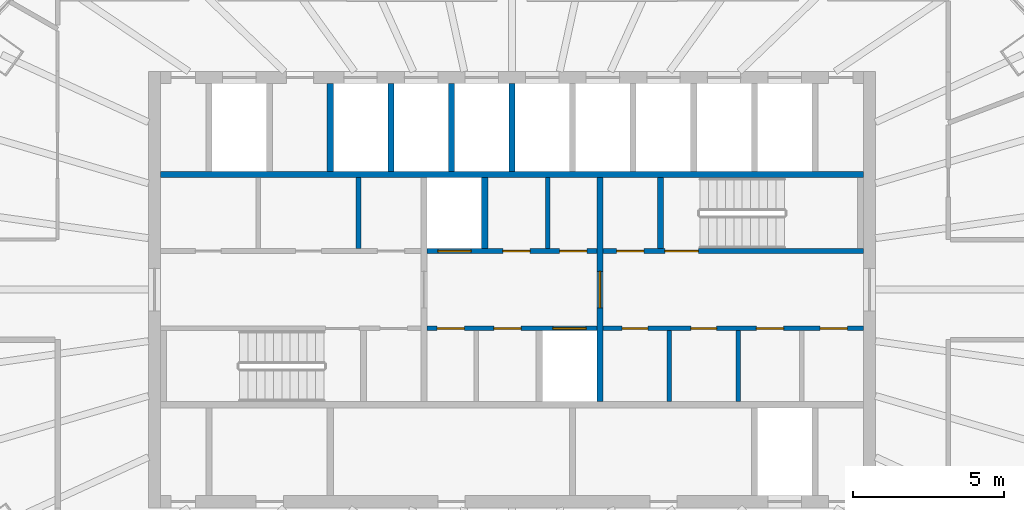
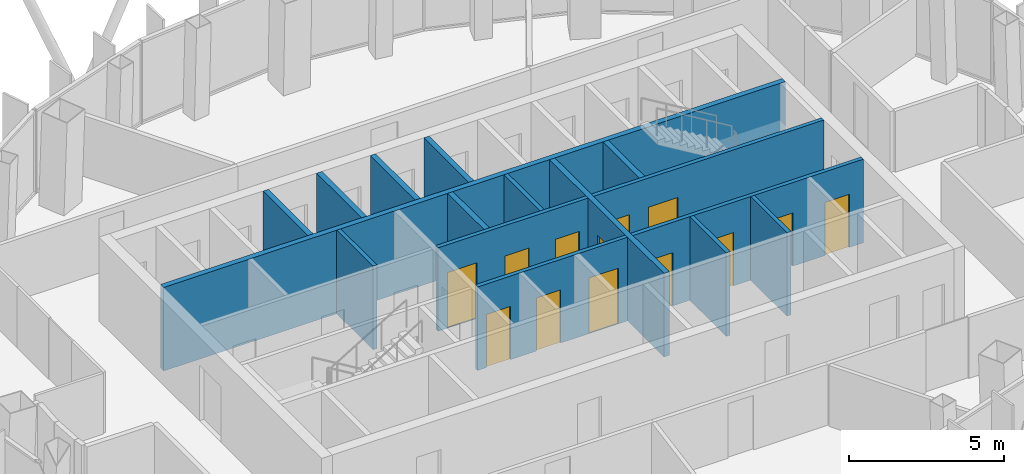
# One storey, part 10 of 18: 16 walls, 13 doors, 13 openings.
"""IFC4 building model written with IfcOpenShell, lengths in metres."""

from ifc_helpers import new_model, si_unit, direction, frame, frame_2d, origin, place, context, subcontext, project, spatial, rectangle, extrude, material, layer, layer_set, type_object, element, fill, save


model = new_model("IFC4")

# Units and contexts
model_context = context("Model", 3, precision=1e-05, world=origin(), true_north=direction((0.0, 1.0)))
body_context = subcontext(model_context, "Body", "Model", "MODEL_VIEW")
ifc_project = project(units=[si_unit("LENGTHUNIT", "METRE"), si_unit("AREAUNIT", "SQUARE_METRE"), si_unit("VOLUMEUNIT", "CUBIC_METRE"), si_unit("PLANEANGLEUNIT", "RADIAN"), si_unit("MASSUNIT", "GRAM", prefix="KILO")], contexts=[model_context])

# Site, building, storey
site_placement = place(None, origin())
site = spatial("IfcSite", under=ifc_project, at=site_placement, CompositionType="ELEMENT")
building_placement = place(site_placement, origin())
building = spatial("IfcBuilding", under=site, at=building_placement, Name="Siaravel Broadcast Tower", CompositionType="ELEMENT")
storey_placement = place(building_placement, frame((0.0, 0.0, 261.5)))
storey = spatial("IfcBuildingStorey", under=building, at=storey_placement, Name="L64", CompositionType="ELEMENT", Elevation=261.5)

# Walls
ifc_material_1 = material(Name="Concrete blockwork", Category="masonry")
ifc_layer_1 = layer(ifc_material_1, 0.14990234375)
ifc_layer_set_1 = layer_set([ifc_layer_1], Name="Concrete blockwork")
wall_type_1 = type_object("IfcWallType", Name="Core partition 150", PredefinedType="PARTITIONING", material=ifc_layer_set_1)
for number, where, z_axis, x_axis, name in (
    (1, (-5.06689453125, 1.35009765625, 0.0), (0.0, 0.0, 1.0), (0.0, 1.0, 0.0), "L64 core partition PNW1"),
    (2, (5.194091796875, -3.699951171875, 0.0), (0.0, 0.0, 1.0), (0.0, 1.0, 0.0), "L64 core partition PSE0"),
    (3, (7.462890625, -3.699951171875, 0.0), (0.0, 0.0, 1.0), (0.0, 1.0, 0.0), "L64 core partition PSE1"),
    (4, (1.172607421875, 1.35009765625, 0.0), (0.0, 0.0, 1.0), (0.0, 1.0, 0.0), "L64 core partition PNM0"),
):
    element("IfcWall", number, at=place(storey_placement, frame(where, z_axis=z_axis, x_axis=x_axis)), inside=storey, type_object=wall_type_1, Name=name, PredefinedType="PARTITIONING", context=body_context, shape_type="SweptSolid", body=[
        extrude(rectangle(XDim=2.349853515625, YDim=0.14990234375, at=frame_2d((1.1748046875, 0.0))), origin(), (0.0, 0.0, 1.0), 3.300048828125),
    ])

# Wall, openings, doors
ifc_material_2 = material(Name="Gypsum board partition", Category="gypsum")
ifc_layer_2 = layer(ifc_material_2, 0.14990234375)
ifc_layer_set_2 = layer_set([ifc_layer_2], Name="Gypsum board partition")
wall_type_2 = type_object("IfcWallType", Name="Corridor wall 150", PredefinedType="PARTITIONING", material=ifc_layer_set_2)
wall_1_placement = place(storey_placement, frame((3.0, -1.27490234375, 0.0), z_axis=(0.0, 0.0, 1.0), x_axis=(1.0, 0.0, 0.0)))
wall_1 = element("IfcWall", 5, at=wall_1_placement, inside=storey, type_object=wall_type_2, Name="L64 core partition CSE", PredefinedType="PARTITIONING", context=body_context, shape_type="SweptSolid", body=[
    extrude(rectangle(XDim=8.60009765625, YDim=0.14990234375, at=frame_2d((4.300048828125, 0.0))), origin(), (0.0, 0.0, 1.0), 3.300048828125),
])
opening_1_placement = place(wall_1_placement, frame((0.634521484375, 0.0, 0.0)))
opening_1 = element("IfcOpeningElement", 6, at=opening_1_placement, cuts=wall_1, Name="Opening L64-DSE0", PredefinedType="OPENING", context=body_context, shape_type="SweptSolid", body=[
    extrude(rectangle(XDim=0.85009765625, YDim=2.10009765625, at=frame_2d((0.425048828125, 1.050048828125))), frame((0.0, 0.0849609375, 0.0), z_axis=(0.0, -1.0, 0.0), x_axis=(1.0, 0.0, 0.0)), (0.0, 0.0, 1.0), 0.169921875),
])
opening_2_placement = place(wall_1_placement, frame((2.903564453125, 0.0, 0.0)))
opening_2 = element("IfcOpeningElement", 7, at=opening_2_placement, cuts=wall_1, Name="Opening L64-DSE1", PredefinedType="OPENING", context=body_context, shape_type="SweptSolid", body=[
    extrude(rectangle(XDim=0.85009765625, YDim=2.10009765625, at=frame_2d((0.425048828125, 1.050048828125))), frame((0.0, 0.0849609375, 0.0), z_axis=(0.0, -1.0, 0.0), x_axis=(1.0, 0.0, 0.0)), (0.0, 0.0, 1.0), 0.169921875),
])
opening_3_placement = place(wall_1_placement, frame((5.06591796875, 0.0, 0.0)))
opening_3 = element("IfcOpeningElement", 8, at=opening_3_placement, cuts=wall_1, Name="Opening L64-DSE2", PredefinedType="OPENING", context=body_context, shape_type="SweptSolid", body=[
    extrude(rectangle(XDim=0.89990234375, YDim=2.10009765625, at=frame_2d((0.449951171875, 1.050048828125))), frame((0.0, 0.0849609375, 0.0), z_axis=(0.0, -1.0, 0.0), x_axis=(1.0, 0.0, 0.0)), (0.0, 0.0, 1.0), 0.169921875),
])
opening_4_placement = place(wall_1_placement, frame((7.172119140625, 0.0, 0.0)))
opening_4 = element("IfcOpeningElement", 9, at=opening_4_placement, cuts=wall_1, Name="Opening L64-DSE3", PredefinedType="OPENING", context=body_context, shape_type="SweptSolid", body=[
    extrude(rectangle(XDim=0.89990234375, YDim=2.10009765625, at=frame_2d((0.449951171875, 1.050048828125))), frame((0.0, 0.0849609375, 0.0), z_axis=(0.0, -1.0, 0.0), x_axis=(1.0, 0.0, 0.0)), (0.0, 0.0, 1.0), 0.169921875),
])
ifc_material_3 = material(Name="Timber veneer", Category="wood")
door_type_1 = type_object("IfcDoorType", Name="Core room door 900", OperationType="SINGLE_SWING_LEFT", PredefinedType="DOOR", material=ifc_material_3)
door_1_placement = place(opening_3_placement, origin())
door_1 = element("IfcDoor", 10, at=door_1_placement, inside=storey, type_object=door_type_1, Name="L64 door DSE2", OperationType="SINGLE_SWING_LEFT", OverallHeight=2.10009765625, OverallWidth=0.89990234375, PredefinedType="DOOR", context=body_context, shape_type="SweptSolid", body=[
    extrude(rectangle(XDim=0.89990234375, YDim=2.10009765625, at=frame_2d((0.449951171875, 1.050048828125))), frame((0.0, 0.02490234375, 0.0), z_axis=(0.0, -1.0, 0.0), x_axis=(1.0, 0.0, 0.0)), (0.0, 0.0, 1.0), 0.050048828125),
])
fill(opening_3, door_1)
door_2_placement = place(opening_4_placement, origin())
door_2 = element("IfcDoor", 11, at=door_2_placement, inside=storey, type_object=door_type_1, Name="L64 door DSE3", OperationType="SINGLE_SWING_LEFT", OverallHeight=2.10009765625, OverallWidth=0.89990234375, PredefinedType="DOOR", context=body_context, shape_type="SweptSolid", body=[
    extrude(rectangle(XDim=0.89990234375, YDim=2.10009765625, at=frame_2d((0.449951171875, 1.050048828125))), frame((0.0, 0.02490234375, 0.0), z_axis=(0.0, -1.0, 0.0), x_axis=(1.0, 0.0, 0.0)), (0.0, 0.0, 1.0), 0.050048828125),
])
fill(opening_4, door_2)
door_type_2 = type_object("IfcDoorType", Name="Core toilet door 850", OperationType="SINGLE_SWING_LEFT", PredefinedType="DOOR", material=ifc_material_3)
door_3_placement = place(opening_1_placement, origin())
door_3 = element("IfcDoor", 12, at=door_3_placement, inside=storey, type_object=door_type_2, Name="L64 door DSE0", OperationType="SINGLE_SWING_LEFT", OverallHeight=2.10009765625, OverallWidth=0.85009765625, PredefinedType="DOOR", context=body_context, shape_type="SweptSolid", body=[
    extrude(rectangle(XDim=0.85009765625, YDim=2.10009765625, at=frame_2d((0.425048828125, 1.050048828125))), frame((0.0, 0.02490234375, 0.0), z_axis=(0.0, -1.0, 0.0), x_axis=(1.0, 0.0, 0.0)), (0.0, 0.0, 1.0), 0.050048828125),
])
fill(opening_1, door_3)
door_4_placement = place(opening_2_placement, origin())
door_4 = element("IfcDoor", 13, at=door_4_placement, inside=storey, type_object=door_type_2, Name="L64 door DSE1", OperationType="SINGLE_SWING_LEFT", OverallHeight=2.10009765625, OverallWidth=0.85009765625, PredefinedType="DOOR", context=body_context, shape_type="SweptSolid", body=[
    extrude(rectangle(XDim=0.85009765625, YDim=2.10009765625, at=frame_2d((0.425048828125, 1.050048828125))), frame((0.0, 0.02490234375, 0.0), z_axis=(0.0, -1.0, 0.0), x_axis=(1.0, 0.0, 0.0)), (0.0, 0.0, 1.0), 0.050048828125),
])
fill(opening_2, door_4)

ifc_material_4 = material(Name="Concrete C60/75", Category="concrete")
ifc_layer_3 = layer(ifc_material_4, 0.14990234375)
ifc_layer_set_3 = layer_set([ifc_layer_3], Name="Concrete C60/75")
wall_type_3 = type_object("IfcWallType", Name="Shaft wall 150", PredefinedType="SHEAR", material=ifc_layer_set_3)
wall_2_placement = place(storey_placement, frame((-2.800048828125, -1.27490234375, 0.0), z_axis=(0.0, 0.0, 1.0), x_axis=(1.0, 0.0, 0.0)))
wall_2 = element("IfcWall", 14, at=wall_2_placement, inside=storey, type_object=wall_type_3, Name="L64 core wall CSM", PredefinedType="SHEAR", context=body_context, shape_type="SweptSolid", body=[
    extrude(rectangle(XDim=5.60009765625, YDim=0.14990234375, at=frame_2d((2.800048828125, 0.0))), origin(), (0.0, 0.0, 1.0), 3.300048828125),
])
opening_5_placement = place(wall_2_placement, frame((4.14990234375, 0.0, 0.0)))
opening_5 = element("IfcOpeningElement", 15, at=opening_5_placement, cuts=wall_2, Name="Opening LD-FL2-L64", PredefinedType="OPENING", context=body_context, shape_type="SweptSolid", body=[
    extrude(rectangle(XDim=1.10009765625, YDim=2.199951171875, at=frame_2d((0.550048828125, 1.10009765625))), frame((0.0, 0.0849609375, 0.0), z_axis=(0.0, -1.0, 0.0), x_axis=(1.0, 0.0, 0.0)), (0.0, 0.0, 1.0), 0.169921875),
])
opening_6_placement = place(wall_2_placement, frame((0.326416015625, 0.0, 0.0)))
opening_6 = element("IfcOpeningElement", 16, at=opening_6_placement, cuts=wall_2, Name="Opening L64-DSM0", PredefinedType="OPENING", context=body_context, shape_type="SweptSolid", body=[
    extrude(rectangle(XDim=0.89990234375, YDim=2.10009765625, at=frame_2d((0.449951171875, 1.050048828125))), frame((0.0, 0.0849609375, 0.0), z_axis=(0.0, -1.0, 0.0), x_axis=(1.0, 0.0, 0.0)), (0.0, 0.0, 1.0), 0.169921875),
])
opening_7_placement = place(wall_2_placement, frame((2.201416015625, 0.0, 0.0)))
opening_7 = element("IfcOpeningElement", 17, at=opening_7_placement, cuts=wall_2, Name="Opening L64-DSM1", PredefinedType="OPENING", context=body_context, shape_type="SweptSolid", body=[
    extrude(rectangle(XDim=0.89990234375, YDim=2.10009765625, at=frame_2d((0.449951171875, 1.050048828125))), frame((0.0, 0.0849609375, 0.0), z_axis=(0.0, -1.0, 0.0), x_axis=(1.0, 0.0, 0.0)), (0.0, 0.0, 1.0), 0.169921875),
])
door_5_placement = place(opening_6_placement, origin())
door_5 = element("IfcDoor", 18, at=door_5_placement, inside=storey, type_object=door_type_1, Name="L64 door DSM0", OperationType="SINGLE_SWING_LEFT", OverallHeight=2.10009765625, OverallWidth=0.89990234375, PredefinedType="DOOR", context=body_context, shape_type="SweptSolid", body=[
    extrude(rectangle(XDim=0.89990234375, YDim=2.10009765625, at=frame_2d((0.449951171875, 1.050048828125))), frame((0.0, 0.02490234375, 0.0), z_axis=(0.0, -1.0, 0.0), x_axis=(1.0, 0.0, 0.0)), (0.0, 0.0, 1.0), 0.050048828125),
])
fill(opening_6, door_5)
door_6_placement = place(opening_7_placement, origin())
door_6 = element("IfcDoor", 19, at=door_6_placement, inside=storey, type_object=door_type_1, Name="L64 door DSM1", OperationType="SINGLE_SWING_LEFT", OverallHeight=2.10009765625, OverallWidth=0.89990234375, PredefinedType="DOOR", context=body_context, shape_type="SweptSolid", body=[
    extrude(rectangle(XDim=0.89990234375, YDim=2.10009765625, at=frame_2d((0.449951171875, 1.050048828125))), frame((0.0, 0.02490234375, 0.0), z_axis=(0.0, -1.0, 0.0), x_axis=(1.0, 0.0, 0.0)), (0.0, 0.0, 1.0), 0.050048828125),
])
fill(opening_7, door_6)
ifc_material_5 = material(Name="Stainless steel 316L", Category="steel")
door_type_3 = type_object("IfcDoorType", Name="Firefighting lift landing door 1100", OperationType="DOUBLE_DOOR_SLIDING", PredefinedType="DOOR", material=ifc_material_5)
door_7_placement = place(opening_5_placement, origin())
door_7 = element("IfcDoor", 20, at=door_7_placement, inside=storey, type_object=door_type_3, Name="Landing door FL2 L64", OperationType="DOUBLE_DOOR_SLIDING", OverallHeight=2.199951171875, OverallWidth=1.10009765625, PredefinedType="DOOR", context=body_context, shape_type="SweptSolid", body=[
    extrude(rectangle(XDim=1.10009765625, YDim=2.199951171875, at=frame_2d((0.550048828125, 1.10009765625))), frame((0.0, 0.02490234375, 0.0), z_axis=(0.0, -1.0, 0.0), x_axis=(1.0, 0.0, 0.0)), (0.0, 0.0, 1.0), 0.050048828125),
])
fill(opening_5, door_7)

wall_3_placement = place(storey_placement, frame((-2.800048828125, 1.27490234375, 0.0), z_axis=(0.0, 0.0, 1.0), x_axis=(1.0, 0.0, 0.0)))
wall_3 = element("IfcWall", 21, at=wall_3_placement, inside=storey, type_object=wall_type_3, Name="L64 core wall CNM", PredefinedType="SHEAR", context=body_context, shape_type="SweptSolid", body=[
    extrude(rectangle(XDim=5.60009765625, YDim=0.14990234375, at=frame_2d((2.800048828125, 0.0))), origin(), (0.0, 0.0, 1.0), 3.300048828125),
])
opening_8_placement = place(wall_3_placement, frame((0.35009765625, 0.0, 0.0)))
opening_8 = element("IfcOpeningElement", 22, at=opening_8_placement, cuts=wall_3, Name="Opening LD-FL1-L64", PredefinedType="OPENING", context=body_context, shape_type="SweptSolid", body=[
    extrude(rectangle(XDim=1.10009765625, YDim=2.199951171875, at=frame_2d((0.550048828125, 1.10009765625))), frame((0.0, 0.0849609375, 0.0), z_axis=(0.0, -1.0, 0.0), x_axis=(1.0, 0.0, 0.0)), (0.0, 0.0, 1.0), 0.169921875),
])
opening_9_placement = place(wall_3_placement, frame((2.498779296875, 0.0, 0.0)))
opening_9 = element("IfcOpeningElement", 23, at=opening_9_placement, cuts=wall_3, Name="Opening L64-DNM0", PredefinedType="OPENING", context=body_context, shape_type="SweptSolid", body=[
    extrude(rectangle(XDim=0.89990234375, YDim=2.10009765625, at=frame_2d((0.449951171875, 1.050048828125))), frame((0.0, 0.0849609375, 0.0), z_axis=(0.0, -1.0, 0.0), x_axis=(1.0, 0.0, 0.0)), (0.0, 0.0, 1.0), 0.169921875),
])
opening_10_placement = place(wall_3_placement, frame((4.373779296875, 0.0, 0.0)))
opening_10 = element("IfcOpeningElement", 24, at=opening_10_placement, cuts=wall_3, Name="Opening L64-DNM1", PredefinedType="OPENING", context=body_context, shape_type="SweptSolid", body=[
    extrude(rectangle(XDim=0.89990234375, YDim=2.10009765625, at=frame_2d((0.449951171875, 1.050048828125))), frame((0.0, 0.0849609375, 0.0), z_axis=(0.0, -1.0, 0.0), x_axis=(1.0, 0.0, 0.0)), (0.0, 0.0, 1.0), 0.169921875),
])
door_8_placement = place(opening_9_placement, origin())
door_8 = element("IfcDoor", 25, at=door_8_placement, inside=storey, type_object=door_type_1, Name="L64 door DNM0", OperationType="SINGLE_SWING_LEFT", OverallHeight=2.10009765625, OverallWidth=0.89990234375, PredefinedType="DOOR", context=body_context, shape_type="SweptSolid", body=[
    extrude(rectangle(XDim=0.89990234375, YDim=2.10009765625, at=frame_2d((0.449951171875, 1.050048828125))), frame((0.0, 0.02490234375, 0.0), z_axis=(0.0, -1.0, 0.0), x_axis=(1.0, 0.0, 0.0)), (0.0, 0.0, 1.0), 0.050048828125),
])
fill(opening_9, door_8)
door_9_placement = place(opening_10_placement, origin())
door_9 = element("IfcDoor", 26, at=door_9_placement, inside=storey, type_object=door_type_1, Name="L64 door DNM1", OperationType="SINGLE_SWING_LEFT", OverallHeight=2.10009765625, OverallWidth=0.89990234375, PredefinedType="DOOR", context=body_context, shape_type="SweptSolid", body=[
    extrude(rectangle(XDim=0.89990234375, YDim=2.10009765625, at=frame_2d((0.449951171875, 1.050048828125))), frame((0.0, 0.02490234375, 0.0), z_axis=(0.0, -1.0, 0.0), x_axis=(1.0, 0.0, 0.0)), (0.0, 0.0, 1.0), 0.050048828125),
])
fill(opening_10, door_9)
door_10_placement = place(opening_8_placement, origin())
door_10 = element("IfcDoor", 27, at=door_10_placement, inside=storey, type_object=door_type_3, Name="Landing door FL1 L64", OperationType="DOUBLE_DOOR_SLIDING", OverallHeight=2.199951171875, OverallWidth=1.10009765625, PredefinedType="DOOR", context=body_context, shape_type="SweptSolid", body=[
    extrude(rectangle(XDim=1.10009765625, YDim=2.199951171875, at=frame_2d((0.550048828125, 1.10009765625))), frame((0.0, 0.02490234375, 0.0), z_axis=(0.0, -1.0, 0.0), x_axis=(1.0, 0.0, 0.0)), (0.0, 0.0, 1.0), 0.050048828125),
])
fill(opening_8, door_10)

wall_4_placement = place(storey_placement, frame((3.0, 1.27490234375, 0.0), z_axis=(0.0, 0.0, 1.0), x_axis=(1.0, 0.0, 0.0)))
wall_4 = element("IfcWall", 28, at=wall_4_placement, inside=storey, type_object=wall_type_3, Name="L64 core wall CNE", PredefinedType="SHEAR", context=body_context, shape_type="SweptSolid", body=[
    extrude(rectangle(XDim=8.60009765625, YDim=0.14990234375, at=frame_2d((4.300048828125, 0.0))), origin(), (0.0, 0.0, 1.0), 3.300048828125),
])
opening_11_placement = place(wall_4_placement, frame((2.050048828125, 0.0, 0.0)))
opening_11 = element("IfcOpeningElement", 29, at=opening_11_placement, cuts=wall_4, Name="Opening L64-DS-2", PredefinedType="OPENING", context=body_context, shape_type="SweptSolid", body=[
    extrude(rectangle(XDim=1.10009765625, YDim=2.14990234375, at=frame_2d((0.550048828125, 1.074951171875))), frame((0.0, 0.0849609375, 0.0), z_axis=(0.0, -1.0, 0.0), x_axis=(1.0, 0.0, 0.0)), (0.0, 0.0, 1.0), 0.169921875),
])
opening_12_placement = place(wall_4_placement, frame((0.449951171875, 0.0, 0.0)))
opening_12 = element("IfcOpeningElement", 30, at=opening_12_placement, cuts=wall_4, Name="Opening L64-DNE0", PredefinedType="OPENING", context=body_context, shape_type="SweptSolid", body=[
    extrude(rectangle(XDim=0.89990234375, YDim=2.10009765625, at=frame_2d((0.449951171875, 1.050048828125))), frame((0.0, 0.0849609375, 0.0), z_axis=(0.0, -1.0, 0.0), x_axis=(1.0, 0.0, 0.0)), (0.0, 0.0, 1.0), 0.169921875),
])
door_11_placement = place(opening_12_placement, origin())
door_11 = element("IfcDoor", 31, at=door_11_placement, inside=storey, type_object=door_type_1, Name="L64 door DNE0", OperationType="SINGLE_SWING_LEFT", OverallHeight=2.10009765625, OverallWidth=0.89990234375, PredefinedType="DOOR", context=body_context, shape_type="SweptSolid", body=[
    extrude(rectangle(XDim=0.89990234375, YDim=2.10009765625, at=frame_2d((0.449951171875, 1.050048828125))), frame((0.0, 0.02490234375, 0.0), z_axis=(0.0, -1.0, 0.0), x_axis=(1.0, 0.0, 0.0)), (0.0, 0.0, 1.0), 0.050048828125),
])
fill(opening_12, door_11)
ifc_material_6 = material(Name="Steel", Category="steel")
door_type_4 = type_object("IfcDoorType", Name="Stair door 1100", OperationType="SINGLE_SWING_LEFT", PredefinedType="DOOR", material=ifc_material_6)
door_12_placement = place(opening_11_placement, origin())
door_12 = element("IfcDoor", 32, at=door_12_placement, inside=storey, type_object=door_type_4, Name="L64 door DS-2", OperationType="SINGLE_SWING_LEFT", OverallHeight=2.14990234375, OverallWidth=1.10009765625, PredefinedType="DOOR", context=body_context, shape_type="SweptSolid", body=[
    extrude(rectangle(XDim=1.10009765625, YDim=2.14990234375, at=frame_2d((0.550048828125, 1.074951171875))), frame((0.0, 0.02490234375, 0.0), z_axis=(0.0, -1.0, 0.0), x_axis=(1.0, 0.0, 0.0)), (0.0, 0.0, 1.0), 0.050048828125),
])
fill(opening_11, door_12)

# Walls
ifc_layer_4 = layer(ifc_material_4, 0.199951171875)
ifc_layer_set_4 = layer_set([ifc_layer_4], Name="Concrete C60/75")
wall_type_4 = type_object("IfcWallType", Name="Shaft wall 200", PredefinedType="SHEAR", material=ifc_layer_set_4)
wall_5_placement = place(storey_placement, frame((-11.60009765625, 3.800048828125, 0.0), z_axis=(0.0, 0.0, 1.0), x_axis=(1.0, 0.0, 0.0)))
element("IfcWall", 33, at=wall_5_placement, inside=storey, type_object=wall_type_4, Name="L64 core wall BN", PredefinedType="SHEAR", context=body_context, shape_type="SweptSolid", body=[
    extrude(rectangle(XDim=23.2001953125, YDim=0.199951171875, at=frame_2d((11.60009765625, 0.0))), origin(), (0.0, 0.0, 1.0), 3.300048828125),
])
for number, where, z_axis, x_axis, name in (
    (34, (-6.0, 3.89990234375, 0.0), (0.0, 0.0, 1.0), (0.0, 1.0, 0.0), "L64 core wall SWN2"),
    (35, (-4.0, 3.89990234375, 0.0), (0.0, 0.0, 1.0), (0.0, 1.0, 0.0), "L64 core wall SWN3"),
    (36, (-2.0, 3.89990234375, 0.0), (0.0, 0.0, 1.0), (0.0, 1.0, 0.0), "L64 core wall SWN4"),
    (37, (0.0, 3.89990234375, 0.0), (0.0, 0.0, 1.0), (0.0, 1.0, 0.0), "L64 core wall SWN5"),
):
    element("IfcWall", number, at=place(storey_placement, frame(where, z_axis=z_axis, x_axis=x_axis)), inside=storey, type_object=wall_type_4, Name=name, PredefinedType="SHEAR", context=body_context, shape_type="SweptSolid", body=[
        extrude(rectangle(XDim=2.900146484375, YDim=0.199951171875, at=frame_2d((1.4501953125, 0.0))), origin(), (0.0, 0.0, 1.0), 3.300048828125),
    ])

# Wall, opening, door
wall_6_placement = place(storey_placement, frame((2.89990234375, -3.699951171875, 0.0), z_axis=(0.0, 0.0, 1.0), x_axis=(0.0, 1.0, 0.0)))
wall_6 = element("IfcWall", 38, at=wall_6_placement, inside=storey, type_object=wall_type_4, Name="L64 core wall LE", PredefinedType="SHEAR", context=body_context, shape_type="SweptSolid", body=[
    extrude(rectangle(XDim=7.39990234375, YDim=0.199951171875, at=frame_2d((3.699951171875, 0.0))), origin(), (0.0, 0.0, 1.0), 3.300048828125),
])
opening_13_placement = place(wall_6_placement, frame((3.10009765625, 0.0, 0.0)))
opening_13 = element("IfcOpeningElement", 39, at=opening_13_placement, cuts=wall_6, Name="Opening L64-DL-E", PredefinedType="OPENING", context=body_context, shape_type="SweptSolid", body=[
    extrude(rectangle(XDim=1.199951171875, YDim=2.199951171875, at=frame_2d((0.60009765625, 1.10009765625))), frame((0.0, 0.10986328125, 0.0), z_axis=(0.0, -1.0, 0.0), x_axis=(1.0, 0.0, 0.0)), (0.0, 0.0, 1.0), 0.219970703125),
])
door_type_5 = type_object("IfcDoorType", Name="Firefighting lobby door 1200", OperationType="SINGLE_SWING_LEFT", PredefinedType="DOOR", material=ifc_material_6)
door_13_placement = place(opening_13_placement, origin())
door_13 = element("IfcDoor", 40, at=door_13_placement, inside=storey, type_object=door_type_5, Name="L64 door DL-E", OperationType="SINGLE_SWING_LEFT", OverallHeight=2.199951171875, OverallWidth=1.199951171875, PredefinedType="DOOR", context=body_context, shape_type="SweptSolid", body=[
    extrude(rectangle(XDim=1.199951171875, YDim=2.199951171875, at=frame_2d((0.60009765625, 1.10009765625))), frame((0.0, 0.02490234375, 0.0), z_axis=(0.0, -1.0, 0.0), x_axis=(1.0, 0.0, 0.0)), (0.0, 0.0, 1.0), 0.050048828125),
])
fill(opening_13, door_13)

# Walls
for number, where, z_axis, x_axis, name in (
    (41, (-0.89990234375, 1.35009765625, 0.0), (0.0, 0.0, 1.0), (0.0, 1.0, 0.0), "L64 core wall FF1E"),
    (42, (4.89990234375, 1.35009765625, 0.0), (0.0, 0.0, 1.0), (0.0, 1.0, 0.0), "L64 core wall ST2W"),
):
    element("IfcWall", number, at=place(storey_placement, frame(where, z_axis=z_axis, x_axis=x_axis)), inside=storey, type_object=wall_type_4, Name=name, PredefinedType="SHEAR", context=body_context, shape_type="SweptSolid", body=[
        extrude(rectangle(XDim=2.349853515625, YDim=0.199951171875, at=frame_2d((1.1748046875, 0.0))), origin(), (0.0, 0.0, 1.0), 3.300048828125),
    ])

save(model, "model.ifc")
